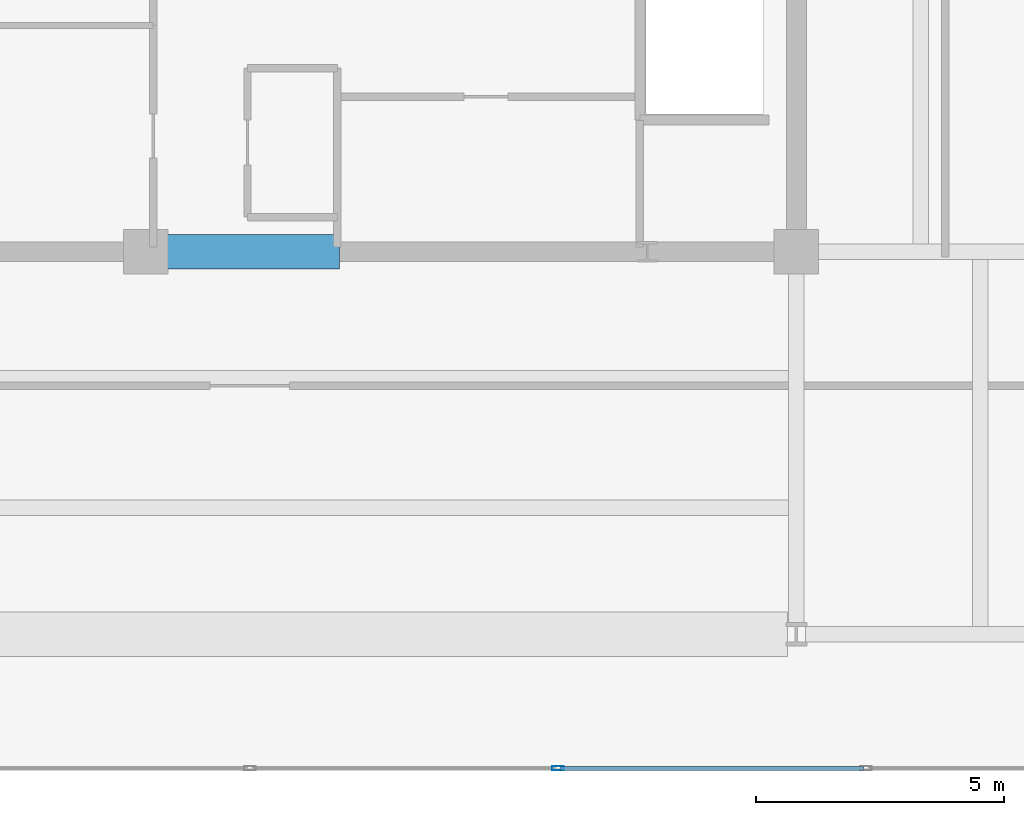
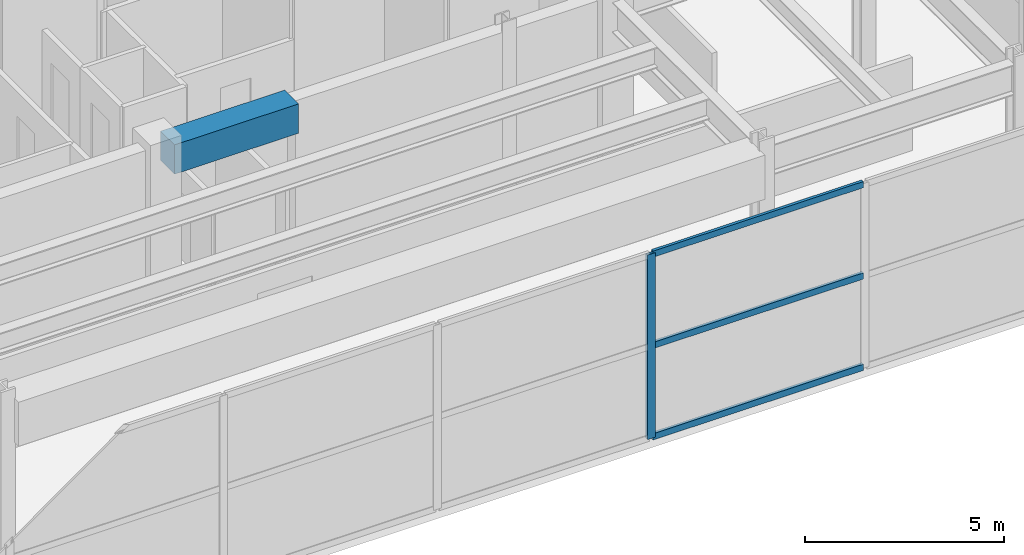
# One storey, part 6 of 21: 4 members, 1 beam, 1 element without a shape of its own.
"""IFC4 building model written with IfcOpenShell, lengths in metres."""

from ifc_helpers import new_model, si_unit, direction, frame, origin, origin_2d, place, context, subcontext, project, spatial, rectangle, hollow_rectangle, extrude, material, material_profile, profile_set, type_object, element, aggregate, save


model = new_model("IFC4")

# Units and contexts
model_context = context("Model", 3, precision=1e-05, world=origin(), true_north=direction((0.0, 1.0)))
body_context = subcontext(model_context, "Body", "Model", "MODEL_VIEW")
ifc_project = project(units=[si_unit("LENGTHUNIT", "METRE"), si_unit("AREAUNIT", "SQUARE_METRE"), si_unit("VOLUMEUNIT", "CUBIC_METRE"), si_unit("PLANEANGLEUNIT", "RADIAN"), si_unit("MASSUNIT", "GRAM", prefix="KILO")], contexts=[model_context])

# Site, building, storey
site_placement = place(None, origin())
site = spatial("IfcSite", under=ifc_project, at=site_placement, CompositionType="ELEMENT")
building_placement = place(site_placement, origin())
building = spatial("IfcBuilding", under=site, at=building_placement, Name="Kovane Verandah Tower", CompositionType="ELEMENT")
storey_placement = place(building_placement, frame((0.0, 0.0, 342.800048828125)))
storey = spatial("IfcBuildingStorey", under=building, at=storey_placement, Name="L80", CompositionType="ELEMENT", Elevation=342.800048828125)

# Beam
ifc_material_1 = material(Name="Concrete C60/75", Category="concrete")
ifc_material_profile_1 = material_profile(ifc_material_1, rectangle(XDim=0.699951171875, YDim=0.89990234375, at=origin_2d()), Name="RCB700x900")
ifc_profile_set_1 = profile_set([ifc_material_profile_1], Name="Concrete C60/75")
beam_type = type_object("IfcBeamType", Name="BM-LINTEL-700x900", PredefinedType="LINTEL", material=ifc_profile_set_1)
beam_placement = place(storey_placement, frame((38.199951171875, 18.5, 5.25), z_axis=(1.0, 0.0, 0.0), x_axis=(0.0, 1.0, 0.0)))
element("IfcBeam", 1, at=beam_placement, inside=storey, type_object=beam_type, Name="L80 Core Coupling Lintel CL-S", PredefinedType="LINTEL", context=body_context, shape_type="SweptSolid", body=[
    extrude(rectangle(XDim=0.699951171875, YDim=0.89990234375, at=origin_2d()), origin(), (0.0, 0.0, 1.0), 3.60009765625),
])

# Curtain wall, members
ifc_material_2 = material(Name="Champagne Anodised Aluminium Frame with Low-E Clear Laminated Glass", Category="aluminium")
curtain_wall_type = type_object("IfcCurtainWallType", Name="CW-SYS-06-CROWN", PredefinedType="NOTDEFINED", material=ifc_material_2)
curtain_wall_placement = place(storey_placement, origin())
curtain_wall = element("IfcCurtainWall", 2, at=curtain_wall_placement, inside=storey, type_object=curtain_wall_type, Name="L80 S Unitised Curtain Wall", PredefinedType="NOTDEFINED")
ifc_material_3 = material(Name="Champagne Anodised Aluminium 6063-T6", Category="aluminium")
ifc_material_profile_2 = material_profile(ifc_material_3, hollow_rectangle(XDim=0.0849609375, YDim=0.22998046875, WallThickness=0.00390625, at=origin_2d()), Name="AL85x230x4")
ifc_profile_set_2 = profile_set([ifc_material_profile_2], Name="Champagne Anodised Aluminium 6063-T6")
member_type_1 = type_object("IfcMemberType", Name="CW-MUL-85x230", PredefinedType="MULLION", material=ifc_profile_set_2)
member_1_placement = place(storey_placement, frame((46.199951171875, 8.10009765625, 0.02001953125), z_axis=(0.0, 0.0, 1.0), x_axis=(0.0, -1.0, 0.0)))
member_1 = element("IfcMember", 3, at=member_1_placement, type_object=member_type_1, Name="L80 S Unitised Curtain Wall Mullion 5", PredefinedType="MULLION", context=body_context, shape_type="SweptSolid", body=[
    extrude(hollow_rectangle(XDim=0.0849609375, YDim=0.22998046875, WallThickness=0.00390625, at=origin_2d()), origin(), (0.0, 0.0, 1.0), 5.659912109375),
])
ifc_material_profile_3 = material_profile(ifc_material_3, hollow_rectangle(XDim=0.0849609375, YDim=0.18994140625, WallThickness=0.00390625, at=origin_2d()), Name="AL85x190x4")
ifc_profile_set_3 = profile_set([ifc_material_profile_3], Name="Champagne Anodised Aluminium 6063-T6")
member_type_2 = type_object("IfcMemberType", Name="CW-TRN-85x190", PredefinedType="USERDEFINED", material=ifc_profile_set_3)
member_2_placement = place(storey_placement, frame((46.25, 8.10009765625, 0.050048828125), z_axis=(1.0, 0.0, 0.0), x_axis=(0.0, 1.0, 0.0)))
member_2 = element("IfcMember", 4, at=member_2_placement, type_object=member_type_2, Name="L80 S Unitised Curtain Wall Transom TB Bay 5", ObjectType="TRANSOM", PredefinedType="USERDEFINED", context=body_context, shape_type="SweptSolid", body=[
    extrude(hollow_rectangle(XDim=0.0849609375, YDim=0.18994140625, WallThickness=0.00390625, at=origin_2d()), origin(), (0.0, 0.0, 1.0), 6.10009765625),
])
member_3_placement = place(storey_placement, frame((46.25, 8.10009765625, 2.849853515625), z_axis=(1.0, 0.0, 0.0), x_axis=(0.0, 1.0, 0.0)))
member_3 = element("IfcMember", 5, at=member_3_placement, type_object=member_type_2, Name="L80 S Unitised Curtain Wall Transom TM Bay 5", ObjectType="TRANSOM", PredefinedType="USERDEFINED", context=body_context, shape_type="SweptSolid", body=[
    extrude(hollow_rectangle(XDim=0.0849609375, YDim=0.18994140625, WallThickness=0.00390625, at=origin_2d()), origin(), (0.0, 0.0, 1.0), 6.10009765625),
])
member_4_placement = place(storey_placement, frame((46.25, 8.10009765625, 5.64990234375), z_axis=(1.0, 0.0, 0.0), x_axis=(0.0, 1.0, 0.0)))
member_4 = element("IfcMember", 6, at=member_4_placement, type_object=member_type_2, Name="L80 S Unitised Curtain Wall Transom TT Bay 5", ObjectType="TRANSOM", PredefinedType="USERDEFINED", context=body_context, shape_type="SweptSolid", body=[
    extrude(hollow_rectangle(XDim=0.0849609375, YDim=0.18994140625, WallThickness=0.00390625, at=origin_2d()), origin(), (0.0, 0.0, 1.0), 6.10009765625),
])
aggregate(curtain_wall, [member_1, member_2, member_3, member_4])

save(model, "model.ifc")
